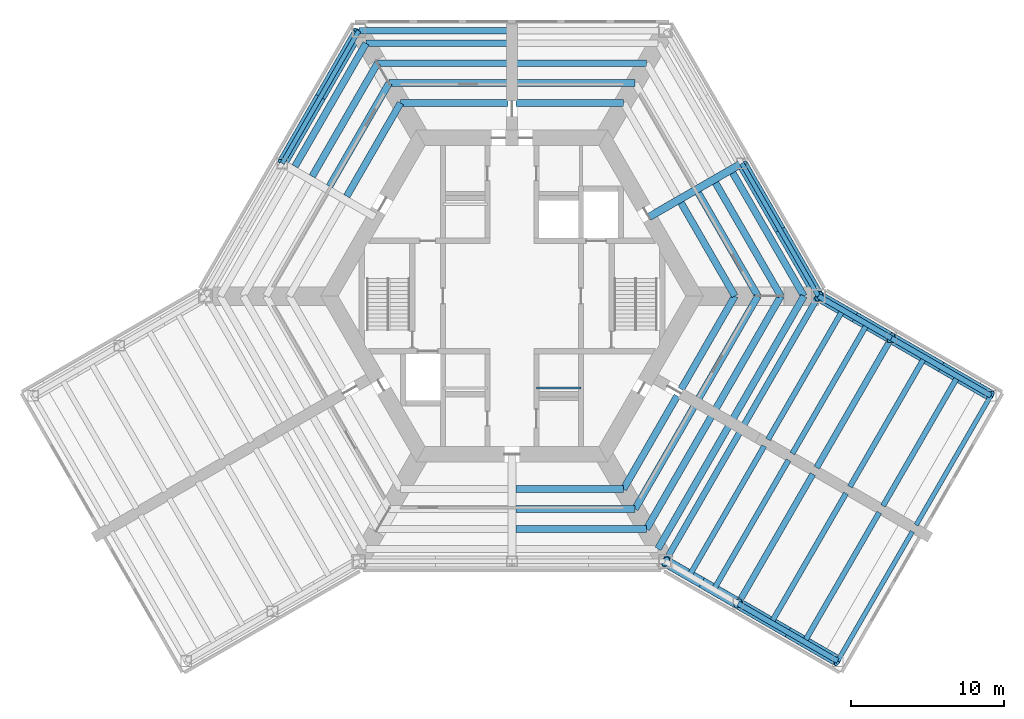
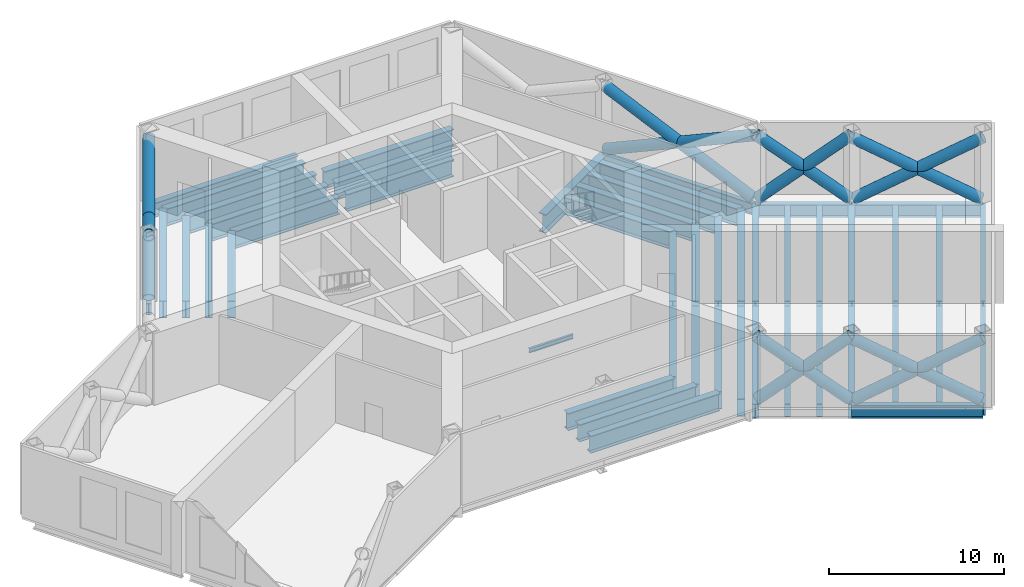
# One storey, part 2 of 8: 48 beams, 12 members.
"""IFC4 building model written with IfcOpenShell, lengths in metres."""

from ifc_helpers import new_model, si_unit, direction, frame, origin, origin_2d, place, context, subcontext, project, spatial, hollow_circle, i_section, extrude, material, material_profile, profile_set, type_object, element, save


model = new_model("IFC4")

# Units and contexts
model_context = context("Model", 3, precision=1e-05, world=origin(), true_north=direction((0.0, 1.0)))
body_context = subcontext(model_context, "Body", "Model", "MODEL_VIEW")
ifc_project = project(units=[si_unit("LENGTHUNIT", "METRE"), si_unit("AREAUNIT", "SQUARE_METRE"), si_unit("VOLUMEUNIT", "CUBIC_METRE"), si_unit("PLANEANGLEUNIT", "RADIAN"), si_unit("MASSUNIT", "GRAM", prefix="KILO")], contexts=[model_context])

# Site, building, storey
site_placement = place(None, origin())
site = spatial("IfcSite", under=ifc_project, at=site_placement, CompositionType="ELEMENT")
building_placement = place(site_placement, origin())
building = spatial("IfcBuilding", under=site, at=building_placement, Name="Kasaneha Research Tower", CompositionType="ELEMENT")
storey_placement = place(building_placement, frame((0.0, 0.0, 203.300048828125)))
storey = spatial("IfcBuildingStorey", under=building, at=storey_placement, Name="L51", CompositionType="ELEMENT", Elevation=203.300048828125)

# Beams
ifc_material_1 = material(Name="Steel SN490B", Category="steel")
ifc_material_profile_1 = material_profile(ifc_material_1, i_section(OverallWidth=0.449951171875, OverallDepth=1.199951171875, WebThickness=0.02197265625, FlangeThickness=0.0400390625, at=origin_2d()), Name="BH-1200x450x22x40")
ifc_profile_set_1 = profile_set([ifc_material_profile_1], Name="Steel SN490B")
beam_type_1 = type_object("IfcBeamType", Name="B1-5 secondary beam BH-1200x450x22x40", PredefinedType="JOIST", material=ifc_profile_set_1)
beam_1_placement = place(storey_placement, frame((14.54931640625, 0.0, -0.85009765625), z_axis=(-0.500015274395, 0.866016584929, 0.0), x_axis=(-0.866016584929, -0.500015274395, 0.0)))
element("IfcBeam", 1, at=beam_1_placement, inside=storey, type_object=beam_type_1, Name="Secondary beam RS030L1 L51", PredefinedType="JOIST", context=body_context, shape_type="SweptSolid", body=[
    extrude(i_section(OverallWidth=0.449951171875, OverallDepth=1.199951171875, WebThickness=0.02197265625, FlangeThickness=0.0400390625, at=origin_2d()), origin(), (0.0, 0.0, 1.0), 7.024658203125),
])
beam_2_placement = place(storey_placement, frame((16.05029296875, 0.0, -0.85009765625), z_axis=(-0.499992453835, 0.866029760521, 0.0), x_axis=(-0.866029760521, -0.499992453835, 0.0)))
element("IfcBeam", 2, at=beam_2_placement, inside=storey, type_object=beam_type_1, Name="Secondary beam RS030L2 L51", PredefinedType="JOIST", context=body_context, shape_type="SweptSolid", body=[
    extrude(i_section(OverallWidth=0.449951171875, OverallDepth=1.199951171875, WebThickness=0.02197265625, FlangeThickness=0.0400390625, at=origin_2d()), origin(), (0.0, 0.0, 1.0), 7.77490234375),
])
beam_3_placement = place(storey_placement, frame((17.551513671875, 0.0, -0.85009765625), z_axis=(-0.500004205306, 0.866022975836, 0.0), x_axis=(-0.866022975836, -0.500004205306, 0.0)))
element("IfcBeam", 3, at=beam_3_placement, inside=storey, type_object=beam_type_1, Name="Secondary beam RS030L3 L51", PredefinedType="JOIST", context=body_context, shape_type="SweptSolid", body=[
    extrude(i_section(OverallWidth=0.449951171875, OverallDepth=1.199951171875, WebThickness=0.02197265625, FlangeThickness=0.0400390625, at=origin_2d()), origin(), (0.0, 0.0, 1.0), 8.52587890625),
])
beam_4_placement = place(storey_placement, frame((19.052490234375, 0.0, -0.85009765625), z_axis=(-0.500005712346, 0.866022105735, 0.0), x_axis=(-0.866022105735, -0.500005712346, 0.0)))
element("IfcBeam", 4, at=beam_4_placement, inside=storey, type_object=beam_type_1, Name="Secondary beam RS030L4 L51", PredefinedType="JOIST", context=body_context, shape_type="SweptSolid", body=[
    extrude(i_section(OverallWidth=0.449951171875, OverallDepth=1.199951171875, WebThickness=0.02197265625, FlangeThickness=0.0400390625, at=origin_2d()), origin(), (0.0, 0.0, 1.0), 9.2763671875),
])
beam_5_placement = place(storey_placement, frame((7.274658203125, 12.60009765625, -0.85009765625), z_axis=(-1.0, 0.0, 0.0), x_axis=(0.0, -1.0, 0.0)))
element("IfcBeam", 5, at=beam_5_placement, inside=storey, type_object=beam_type_1, Name="Secondary beam RS090L1 L51", PredefinedType="JOIST", context=body_context, shape_type="SweptSolid", body=[
    extrude(i_section(OverallWidth=0.449951171875, OverallDepth=1.199951171875, WebThickness=0.02197265625, FlangeThickness=0.0400390625, at=origin_2d()), origin(), (0.0, 0.0, 1.0), 7.024658203125),
])
beam_6_placement = place(storey_placement, frame((8.025146484375, 13.89990234375, -0.85009765625), z_axis=(-1.0, 0.0, 0.0), x_axis=(0.0, -1.0, 0.0)))
element("IfcBeam", 6, at=beam_6_placement, inside=storey, type_object=beam_type_1, Name="Secondary beam RS090L2 L51", PredefinedType="JOIST", context=body_context, shape_type="SweptSolid", body=[
    extrude(i_section(OverallWidth=0.449951171875, OverallDepth=1.199951171875, WebThickness=0.02197265625, FlangeThickness=0.0400390625, at=origin_2d()), origin(), (0.0, 0.0, 1.0), 7.775146484375),
])
beam_7_placement = place(storey_placement, frame((8.775634765625, 15.199951171875, -0.85009765625), z_axis=(-1.0, 0.0, 0.0), x_axis=(0.0, -1.0, 0.0)))
element("IfcBeam", 7, at=beam_7_placement, inside=storey, type_object=beam_type_1, Name="Secondary beam RS090L3 L51", PredefinedType="JOIST", context=body_context, shape_type="SweptSolid", body=[
    extrude(i_section(OverallWidth=0.449951171875, OverallDepth=1.199951171875, WebThickness=0.02197265625, FlangeThickness=0.0400390625, at=origin_2d()), origin(), (0.0, 0.0, 1.0), 8.525634765625),
])
beam_8_placement = place(storey_placement, frame((-7.274658203125, 12.60009765625, -0.85009765625), z_axis=(1.0, 0.0, 0.0), x_axis=(0.0, 1.0, 0.0)))
element("IfcBeam", 8, at=beam_8_placement, inside=storey, type_object=beam_type_1, Name="Secondary beam RS090R1 L51", PredefinedType="JOIST", context=body_context, shape_type="SweptSolid", body=[
    extrude(i_section(OverallWidth=0.449951171875, OverallDepth=1.199951171875, WebThickness=0.02197265625, FlangeThickness=0.0400390625, at=origin_2d()), origin(), (0.0, 0.0, 1.0), 7.024658203125),
])
beam_9_placement = place(storey_placement, frame((-8.025146484375, 13.89990234375, -0.85009765625), z_axis=(1.0, 0.0, 0.0), x_axis=(0.0, 1.0, 0.0)))
element("IfcBeam", 9, at=beam_9_placement, inside=storey, type_object=beam_type_1, Name="Secondary beam RS090R2 L51", PredefinedType="JOIST", context=body_context, shape_type="SweptSolid", body=[
    extrude(i_section(OverallWidth=0.449951171875, OverallDepth=1.199951171875, WebThickness=0.02197265625, FlangeThickness=0.0400390625, at=origin_2d()), origin(), (0.0, 0.0, 1.0), 7.775146484375),
])
beam_10_placement = place(storey_placement, frame((-8.775634765625, 15.199951171875, -0.85009765625), z_axis=(1.0, 0.0, 0.0), x_axis=(0.0, 1.0, 0.0)))
element("IfcBeam", 10, at=beam_10_placement, inside=storey, type_object=beam_type_1, Name="Secondary beam RS090R3 L51", PredefinedType="JOIST", context=body_context, shape_type="SweptSolid", body=[
    extrude(i_section(OverallWidth=0.449951171875, OverallDepth=1.199951171875, WebThickness=0.02197265625, FlangeThickness=0.0400390625, at=origin_2d()), origin(), (0.0, 0.0, 1.0), 8.525634765625),
])
beam_11_placement = place(storey_placement, frame((-9.5263671875, 16.5, -0.85009765625), z_axis=(1.0, 0.0, 0.0), x_axis=(0.0, 1.0, 0.0)))
element("IfcBeam", 11, at=beam_11_placement, inside=storey, type_object=beam_type_1, Name="Secondary beam RS090R4 L51", PredefinedType="JOIST", context=body_context, shape_type="SweptSolid", body=[
    extrude(i_section(OverallWidth=0.449951171875, OverallDepth=1.199951171875, WebThickness=0.02197265625, FlangeThickness=0.0400390625, at=origin_2d()), origin(), (0.0, 0.0, 1.0), 9.2763671875),
])
beam_12_placement = place(storey_placement, frame((-7.274658203125, 12.60009765625, -0.85009765625), z_axis=(-0.499989208252, -0.866031634313, 0.0), x_axis=(0.866031634313, -0.499989208252, 0.0)))
element("IfcBeam", 12, at=beam_12_placement, inside=storey, type_object=beam_type_1, Name="Secondary beam RS150L1 L51", PredefinedType="JOIST", context=body_context, shape_type="SweptSolid", body=[
    extrude(i_section(OverallWidth=0.449951171875, OverallDepth=1.199951171875, WebThickness=0.02197265625, FlangeThickness=0.0400390625, at=origin_2d()), origin(), (0.0, 0.0, 1.0), 7.024658203125),
])
beam_13_placement = place(storey_placement, frame((-8.025146484375, 13.89990234375, -0.85009765625), z_axis=(-0.500016004, -0.866016163673, 0.0), x_axis=(0.866016163673, -0.500016004, 0.0)))
element("IfcBeam", 13, at=beam_13_placement, inside=storey, type_object=beam_type_1, Name="Secondary beam RS150L2 L51", PredefinedType="JOIST", context=body_context, shape_type="SweptSolid", body=[
    extrude(i_section(OverallWidth=0.449951171875, OverallDepth=1.199951171875, WebThickness=0.02197265625, FlangeThickness=0.0400390625, at=origin_2d()), origin(), (0.0, 0.0, 1.0), 7.775146484375),
])
beam_14_placement = place(storey_placement, frame((-8.775634765625, 15.199951171875, -0.85009765625), z_axis=(-0.500004205306, -0.866022975836, 0.0), x_axis=(0.866022975836, -0.500004205306, 0.0)))
element("IfcBeam", 14, at=beam_14_placement, inside=storey, type_object=beam_type_1, Name="Secondary beam RS150L3 L51", PredefinedType="JOIST", context=body_context, shape_type="SweptSolid", body=[
    extrude(i_section(OverallWidth=0.449951171875, OverallDepth=1.199951171875, WebThickness=0.02197265625, FlangeThickness=0.0400390625, at=origin_2d()), origin(), (0.0, 0.0, 1.0), 8.52587890625),
])
beam_15_placement = place(storey_placement, frame((-9.5263671875, 16.5, -0.85009765625), z_axis=(-0.499985972961, -0.866033502147, 0.0), x_axis=(0.866033502147, -0.499985972961, 0.0)))
element("IfcBeam", 15, at=beam_15_placement, inside=storey, type_object=beam_type_1, Name="Secondary beam RS150L4 L51", PredefinedType="JOIST", context=body_context, shape_type="SweptSolid", body=[
    extrude(i_section(OverallWidth=0.449951171875, OverallDepth=1.199951171875, WebThickness=0.02197265625, FlangeThickness=0.0400390625, at=origin_2d()), origin(), (0.0, 0.0, 1.0), 9.276123046875),
])
beam_16_placement = place(storey_placement, frame((7.274658203125, -12.60009765625, -0.85009765625), z_axis=(-1.0, 0.0, 0.0), x_axis=(0.0, -1.0, 0.0)))
element("IfcBeam", 16, at=beam_16_placement, inside=storey, type_object=beam_type_1, Name="Secondary beam RS270R1 L51", PredefinedType="JOIST", context=body_context, shape_type="SweptSolid", body=[
    extrude(i_section(OverallWidth=0.449951171875, OverallDepth=1.199951171875, WebThickness=0.02197265625, FlangeThickness=0.0400390625, at=origin_2d()), origin(), (0.0, 0.0, 1.0), 7.024658203125),
])
beam_17_placement = place(storey_placement, frame((8.025146484375, -13.89990234375, -0.85009765625), z_axis=(-1.0, 0.0, 0.0), x_axis=(0.0, -1.0, 0.0)))
element("IfcBeam", 17, at=beam_17_placement, inside=storey, type_object=beam_type_1, Name="Secondary beam RS270R2 L51", PredefinedType="JOIST", context=body_context, shape_type="SweptSolid", body=[
    extrude(i_section(OverallWidth=0.449951171875, OverallDepth=1.199951171875, WebThickness=0.02197265625, FlangeThickness=0.0400390625, at=origin_2d()), origin(), (0.0, 0.0, 1.0), 7.775146484375),
])
beam_18_placement = place(storey_placement, frame((8.775634765625, -15.199951171875, -0.85009765625), z_axis=(-1.0, 0.0, 0.0), x_axis=(0.0, -1.0, 0.0)))
element("IfcBeam", 18, at=beam_18_placement, inside=storey, type_object=beam_type_1, Name="Secondary beam RS270R3 L51", PredefinedType="JOIST", context=body_context, shape_type="SweptSolid", body=[
    extrude(i_section(OverallWidth=0.449951171875, OverallDepth=1.199951171875, WebThickness=0.02197265625, FlangeThickness=0.0400390625, at=origin_2d()), origin(), (0.0, 0.0, 1.0), 8.525634765625),
])
beam_19_placement = place(storey_placement, frame((7.274658203125, -12.60009765625, -0.85009765625), z_axis=(0.499989208252, 0.866031634313, 0.0), x_axis=(-0.866031634313, 0.499989208252, 0.0)))
element("IfcBeam", 19, at=beam_19_placement, inside=storey, type_object=beam_type_1, Name="Secondary beam RS330L1 L51", PredefinedType="JOIST", context=body_context, shape_type="SweptSolid", body=[
    extrude(i_section(OverallWidth=0.449951171875, OverallDepth=1.199951171875, WebThickness=0.02197265625, FlangeThickness=0.0400390625, at=origin_2d()), origin(), (0.0, 0.0, 1.0), 7.024658203125),
])
beam_20_placement = place(storey_placement, frame((8.025146484375, -13.89990234375, -0.85009765625), z_axis=(0.500016004, 0.866016163673, 0.0), x_axis=(-0.866016163673, 0.500016004, 0.0)))
element("IfcBeam", 20, at=beam_20_placement, inside=storey, type_object=beam_type_1, Name="Secondary beam RS330L2 L51", PredefinedType="JOIST", context=body_context, shape_type="SweptSolid", body=[
    extrude(i_section(OverallWidth=0.449951171875, OverallDepth=1.199951171875, WebThickness=0.02197265625, FlangeThickness=0.0400390625, at=origin_2d()), origin(), (0.0, 0.0, 1.0), 7.775146484375),
])
beam_21_placement = place(storey_placement, frame((8.775634765625, -15.199951171875, -0.85009765625), z_axis=(0.500004205306, 0.866022975836, 0.0), x_axis=(-0.866022975836, 0.500004205306, 0.0)))
element("IfcBeam", 21, at=beam_21_placement, inside=storey, type_object=beam_type_1, Name="Secondary beam RS330L3 L51", PredefinedType="JOIST", context=body_context, shape_type="SweptSolid", body=[
    extrude(i_section(OverallWidth=0.449951171875, OverallDepth=1.199951171875, WebThickness=0.02197265625, FlangeThickness=0.0400390625, at=origin_2d()), origin(), (0.0, 0.0, 1.0), 8.52587890625),
])
beam_22_placement = place(storey_placement, frame((9.5263671875, -16.5, -0.85009765625), z_axis=(0.499985972961, 0.866033502147, 0.0), x_axis=(-0.866033502147, 0.499985972961, 0.0)))
element("IfcBeam", 22, at=beam_22_placement, inside=storey, type_object=beam_type_1, Name="Secondary beam RS330L4 L51", PredefinedType="JOIST", context=body_context, shape_type="SweptSolid", body=[
    extrude(i_section(OverallWidth=0.449951171875, OverallDepth=1.199951171875, WebThickness=0.02197265625, FlangeThickness=0.0400390625, at=origin_2d()), origin(), (0.0, 0.0, 1.0), 9.276123046875),
])
beam_23_placement = place(storey_placement, frame((14.54931640625, 0.0, -0.85009765625), z_axis=(-0.500015274395, -0.866016584929, 0.0), x_axis=(0.866016584929, -0.500015274395, 0.0)))
element("IfcBeam", 23, at=beam_23_placement, inside=storey, type_object=beam_type_1, Name="Secondary beam RS330R1 L51", PredefinedType="JOIST", context=body_context, shape_type="SweptSolid", body=[
    extrude(i_section(OverallWidth=0.449951171875, OverallDepth=1.199951171875, WebThickness=0.02197265625, FlangeThickness=0.0400390625, at=origin_2d()), origin(), (0.0, 0.0, 1.0), 7.024658203125),
])
beam_24_placement = place(storey_placement, frame((16.05029296875, 0.0, -0.85009765625), z_axis=(-0.499992453835, -0.866029760521, 0.0), x_axis=(0.866029760521, -0.499992453835, 0.0)))
element("IfcBeam", 24, at=beam_24_placement, inside=storey, type_object=beam_type_1, Name="Secondary beam RS330R2 L51", PredefinedType="JOIST", context=body_context, shape_type="SweptSolid", body=[
    extrude(i_section(OverallWidth=0.449951171875, OverallDepth=1.199951171875, WebThickness=0.02197265625, FlangeThickness=0.0400390625, at=origin_2d()), origin(), (0.0, 0.0, 1.0), 7.77490234375),
])
beam_25_placement = place(storey_placement, frame((17.551513671875, 0.0, -0.85009765625), z_axis=(-0.500004205306, -0.866022975836, 0.0), x_axis=(0.866022975836, -0.500004205306, 0.0)))
element("IfcBeam", 25, at=beam_25_placement, inside=storey, type_object=beam_type_1, Name="Secondary beam RS330R3 L51", PredefinedType="JOIST", context=body_context, shape_type="SweptSolid", body=[
    extrude(i_section(OverallWidth=0.449951171875, OverallDepth=1.199951171875, WebThickness=0.02197265625, FlangeThickness=0.0400390625, at=origin_2d()), origin(), (0.0, 0.0, 1.0), 8.52587890625),
])
beam_26_placement = place(storey_placement, frame((19.052490234375, 0.0, -0.85009765625), z_axis=(-0.500005712346, -0.866022105735, 0.0), x_axis=(0.866022105735, -0.500005712346, 0.0)))
element("IfcBeam", 26, at=beam_26_placement, inside=storey, type_object=beam_type_1, Name="Secondary beam RS330R4 L51", PredefinedType="JOIST", context=body_context, shape_type="SweptSolid", body=[
    extrude(i_section(OverallWidth=0.449951171875, OverallDepth=1.199951171875, WebThickness=0.02197265625, FlangeThickness=0.0400390625, at=origin_2d()), origin(), (0.0, 0.0, 1.0), 9.2763671875),
])
ifc_material_2 = material(Name="Steel SN490B", Category="steel")
ifc_material_profile_2 = material_profile(ifc_material_2, i_section(OverallWidth=0.35009765625, OverallDepth=0.89990234375, WebThickness=0.01611328125, FlangeThickness=0.031982421875, at=origin_2d()), Name="BH-900x350x16x32")
ifc_profile_set_2 = profile_set([ifc_material_profile_2], Name="Steel SN490B")
beam_type_2 = type_object("IfcBeamType", Name="B2-5 secondary beam BH-900x350x16x32", PredefinedType="JOIST", material=ifc_profile_set_2)
for number, where, z_axis, x_axis, name in (
    (27, (11.587646484375, -18.237060546875, -0.699951171875), (0.500006402939, 0.866021707014, 0.0), (-0.866021707014, 0.500006402939, 0.0), "Secondary beam WBCP1 L51"),
    (28, (13.175537109375, -19.15380859375, -0.699951171875), (0.500006402939, 0.866021707014, 0.0), (-0.866021707014, 0.500006402939, 0.0), "Secondary beam WBCP2 L51"),
):
    element("IfcBeam", number, at=place(storey_placement, frame(where, z_axis=z_axis, x_axis=x_axis)), inside=storey, type_object=beam_type_2, Name=name, PredefinedType="JOIST", context=body_context, shape_type="SweptSolid", body=[
        extrude(i_section(OverallWidth=0.35009765625, OverallDepth=0.89990234375, WebThickness=0.01611328125, FlangeThickness=0.031982421875, at=origin_2d()), origin(), (0.0, 0.0, 1.0), 9.749755859375),
    ])
for number, where, z_axis, x_axis, name in (
    (29, (16.92822265625, -21.320556640625, -0.699951171875), (0.499995560238, 0.866027967067, 0.0), (-0.866027967067, 0.499995560238, 0.0), "Secondary beam WBCP3 L51"),
    (30, (19.09326171875, -22.570556640625, -0.699951171875), (0.499995560238, 0.866027967067, 0.0), (-0.866027967067, 0.499995560238, 0.0), "Secondary beam WBCP4 L51"),
):
    element("IfcBeam", number, at=place(storey_placement, frame(where, z_axis=z_axis, x_axis=x_axis)), inside=storey, type_object=beam_type_2, Name=name, PredefinedType="JOIST", context=body_context, shape_type="SweptSolid", body=[
        extrude(i_section(OverallWidth=0.35009765625, OverallDepth=0.89990234375, WebThickness=0.01611328125, FlangeThickness=0.031982421875, at=origin_2d()), origin(), (0.0, 0.0, 1.0), 9.75),
    ])
beam_27_placement = place(storey_placement, frame((21.587646484375, -0.916748046875, -0.699951171875), z_axis=(-0.500006402939, -0.866021707014, 0.0), x_axis=(0.866021707014, -0.500006402939, 0.0)))
element("IfcBeam", 31, at=beam_27_placement, inside=storey, type_object=beam_type_2, Name="Secondary beam WBCN1 L51", PredefinedType="JOIST", context=body_context, shape_type="SweptSolid", body=[
    extrude(i_section(OverallWidth=0.35009765625, OverallDepth=0.89990234375, WebThickness=0.01611328125, FlangeThickness=0.031982421875, at=origin_2d()), origin(), (0.0, 0.0, 1.0), 9.749755859375),
])
for number, where, z_axis, x_axis, name in (
    (32, (23.175537109375, -1.833251953125, -0.699951171875), (-0.499995560238, -0.866027967067, 0.0), (0.866027967067, -0.499995560238, 0.0), "Secondary beam WBCN2 L51"),
    (33, (26.92822265625, -4.0, -0.699951171875), (-0.499995560238, -0.866027967067, 0.0), (0.866027967067, -0.499995560238, 0.0), "Secondary beam WBCN3 L51"),
    (34, (29.09326171875, -5.25, -0.699951171875), (-0.499995560238, -0.866027967067, 0.0), (0.866027967067, -0.499995560238, 0.0), "Secondary beam WBCN4 L51"),
):
    element("IfcBeam", number, at=place(storey_placement, frame(where, z_axis=z_axis, x_axis=x_axis)), inside=storey, type_object=beam_type_2, Name=name, PredefinedType="JOIST", context=body_context, shape_type="SweptSolid", body=[
        extrude(i_section(OverallWidth=0.35009765625, OverallDepth=0.89990234375, WebThickness=0.01611328125, FlangeThickness=0.031982421875, at=origin_2d()), origin(), (0.0, 0.0, 1.0), 9.75),
    ])
ifc_material_3 = material(Name="Steel SN490B", Category="steel")
ifc_material_profile_3 = material_profile(ifc_material_3, i_section(OverallWidth=0.35009765625, OverallDepth=0.89990234375, WebThickness=0.01611328125, FlangeThickness=0.031982421875, at=origin_2d()), Name="BH-900x350x16x32")
ifc_profile_set_3 = profile_set([ifc_material_profile_3], Name="Steel SN490B")
beam_type_3 = type_object("IfcBeamType", Name="BC1-5 belt chord BH-900x350x16x32", PredefinedType="BEAM", material=ifc_profile_set_3)
beam_28_placement = place(storey_placement, frame((20.0, 0.0, -0.699951171875), z_axis=(0.866027397988, -0.499996545922, 0.0), x_axis=(0.499996545922, 0.866027397988, 0.0)))
element("IfcBeam", 35, at=beam_28_placement, inside=storey, type_object=beam_type_3, Name="Belt chord WSCN1 L51", PredefinedType="BEAM", context=body_context, shape_type="SweptSolid", body=[
    extrude(i_section(OverallWidth=0.35009765625, OverallDepth=0.89990234375, WebThickness=0.01611328125, FlangeThickness=0.031982421875, at=origin_2d()), origin(), (0.0, 0.0, 1.0), 5.5),
])

# Members
ifc_material_4 = material(Name="Steel STKN490B", Category="steel")
ifc_material_profile_4 = material_profile(ifc_material_4, hollow_circle(Radius=0.355712890625, WallThickness=0.031982421875, at=origin_2d()), Name="CHS-711.2x32.0")
ifc_profile_set_4 = profile_set([ifc_material_profile_4], Name="Steel STKN490B")
member_type = type_object("IfcMemberType", Name="BT3 belt truss diagonal CHS-711.2x32.0", PredefinedType="BRACE", material=ifc_profile_set_4)
for number, where, z_axis, x_axis, name in (
    (36, (-14.932861328125, 8.7763671875, 0.067138671875), (0.456047152237, 0.789897462228, 0.409979260576), (-0.866025574794, 0.499999703803, 0.0), "Belt truss diagonal 4a L51"),
    (37, (-10.067138671875, 17.204345703125, 0.067138671875), (-0.456047152237, -0.789897462228, 0.409979260576), (0.866025574794, -0.499999703803, 0.0), "Belt truss diagonal 4b L51"),
):
    element("IfcMember", number, at=place(storey_placement, frame(where, z_axis=z_axis, x_axis=x_axis)), inside=storey, type_object=member_type, Name=name, PredefinedType="BRACE", context=body_context, shape_type="SweptSolid", body=[
        extrude(hollow_circle(Radius=0.355712890625, WallThickness=0.031982421875, at=origin_2d()), origin(), (0.0, 0.0, 1.0), 10.7529296875),
    ])
member_1_placement = place(storey_placement, frame((15.067138671875, 8.5439453125, 0.067138671875), z_axis=(0.456055331274, -0.789888923613, 0.409986613403), x_axis=(0.866019351364, 0.500010482954, 0.0)))
element("IfcMember", 38, at=member_1_placement, inside=storey, type_object=member_type, Name="Belt truss diagonal 6a L51", PredefinedType="BRACE", context=body_context, shape_type="SweptSolid", body=[
    extrude(hollow_circle(Radius=0.355712890625, WallThickness=0.031982421875, at=origin_2d()), origin(), (0.0, 0.0, 1.0), 10.752685546875),
])
member_2_placement = place(storey_placement, frame((19.932861328125, 0.1162109375, 0.067138671875), z_axis=(-0.456047152237, 0.789897462228, 0.409979260576), x_axis=(-0.866025574794, -0.499999703803, 0.0)))
element("IfcMember", 39, at=member_2_placement, inside=storey, type_object=member_type, Name="Belt truss diagonal 6b L51", PredefinedType="BRACE", context=body_context, shape_type="SweptSolid", body=[
    extrude(hollow_circle(Radius=0.355712890625, WallThickness=0.031982421875, at=origin_2d()), origin(), (0.0, 0.0, 1.0), 10.7529296875),
])
for number, where, z_axis, x_axis, name in (
    (40, (20.09619140625, -0.055419921875, 0.100830078125), (0.667831805329, -0.385602354121, 0.636640796907), (0.500028672299, 0.866008849192, 0.0), "Belt truss diagonal 7a L51"),
    (41, (24.6669921875, -2.694580078125, 0.100830078125), (-0.667831805329, 0.385602354121, 0.636640796907), (-0.500028672299, -0.866008849192, 0.0), "Belt truss diagonal 7b L51"),
):
    element("IfcMember", number, at=place(storey_placement, frame(where, z_axis=z_axis, x_axis=x_axis)), inside=storey, type_object=member_type, Name=name, PredefinedType="BRACE", context=body_context, shape_type="SweptSolid", body=[
        extrude(hollow_circle(Radius=0.355712890625, WallThickness=0.031982421875, at=origin_2d()), origin(), (0.0, 0.0, 1.0), 6.95068359375),
    ])
for number, where, z_axis, x_axis, name in (
    (42, (24.871337890625, -2.8125, 0.083251953125), (0.749620606235, -0.432791928312, 0.50075951663), (0.499998500593, 0.866026269466, 0.0), "Belt truss diagonal 8a L51"),
    (43, (31.150146484375, -6.4375, 0.083251953125), (-0.749620606235, 0.432791928312, 0.50075951663), (-0.499998500593, -0.866026269466, 0.0), "Belt truss diagonal 8b L51"),
    (44, (21.150146484375, -23.758056640625, 0.083251953125), (-0.749620606235, 0.432791928312, 0.50075951663), (-0.499998500593, -0.866026269466, 0.0), "Belt truss diagonal 9a L51"),
    (45, (14.871337890625, -20.1328125, 0.083251953125), (0.749611309849, -0.432815214834, 0.500753306484), (0.500023327812, 0.866011935047, 0.0), "Belt truss diagonal 9b L51"),
):
    element("IfcMember", number, at=place(storey_placement, frame(where, z_axis=z_axis, x_axis=x_axis)), inside=storey, type_object=member_type, Name=name, PredefinedType="BRACE", context=body_context, shape_type="SweptSolid", body=[
        extrude(hollow_circle(Radius=0.355712890625, WallThickness=0.031982421875, at=origin_2d()), origin(), (0.0, 0.0, 1.0), 8.520263671875),
    ])
for number, where, z_axis, x_axis, name in (
    (46, (14.6669921875, -20.014892578125, 0.100830078125), (-0.667840850406, 0.385572451213, 0.636649419535), (-0.499994511252, -0.866028572691, 0.0), "Belt truss diagonal 10a L51"),
    (47, (10.09619140625, -17.3759765625, 0.100830078125), (0.667840850406, -0.385572451213, 0.636649419535), (0.499994511252, 0.866028572691, 0.0), "Belt truss diagonal 10b L51"),
):
    element("IfcMember", number, at=place(storey_placement, frame(where, z_axis=z_axis, x_axis=x_axis)), inside=storey, type_object=member_type, Name=name, PredefinedType="BRACE", context=body_context, shape_type="SweptSolid", body=[
        extrude(hollow_circle(Radius=0.355712890625, WallThickness=0.031982421875, at=origin_2d()), origin(), (0.0, 0.0, 1.0), 6.950439453125),
    ])

# Beams
ifc_material_5 = material(Name="Steel SN490B", Category="steel")
ifc_material_profile_5 = material_profile(ifc_material_5, i_section(OverallWidth=0.5, OverallDepth=1.300048828125, WebThickness=0.02197265625, FlangeThickness=0.044921875, at=origin_2d()), Name="BH-1300x500x22x45")
ifc_profile_set_5 = profile_set([ifc_material_profile_5], Name="Steel SN490B")
beam_type_4 = type_object("IfcBeamType", Name="G2-5 radial girder BH-1300x500x22x45", PredefinedType="BEAM", material=ifc_profile_set_5)
beam_29_placement = place(storey_placement, frame((8.941650390625, 5.16259765625, -0.900146484375), z_axis=(0.866039713508, 0.499975214012, 0.0), x_axis=(-0.499975214012, 0.866039713508, 0.0)))
element("IfcBeam", 48, at=beam_29_placement, inside=storey, type_object=beam_type_4, Name="Radial girder RM030 L51", PredefinedType="BEAM", context=body_context, shape_type="SweptSolid", body=[
    extrude(i_section(OverallWidth=0.5, OverallDepth=1.300048828125, WebThickness=0.02197265625, FlangeThickness=0.044921875, at=origin_2d()), origin(), (0.0, 0.0, 1.0), 6.995361328125),
])
ifc_material_6 = material(Name="Steel SN490B", Category="steel")
ifc_material_profile_6 = material_profile(ifc_material_6, i_section(OverallWidth=0.39990234375, OverallDepth=1.0, WebThickness=0.01904296875, FlangeThickness=0.035888671875, at=origin_2d()), Name="BH-1000x400x19x36")
ifc_profile_set_6 = profile_set([ifc_material_profile_6], Name="Steel SN490B")
beam_type_5 = type_object("IfcBeamType", Name="G3-5 plate edge girder BH-1000x400x19x36", PredefinedType="BEAM", material=ifc_profile_set_6)
for number, where, z_axis, x_axis, name in (
    (49, (-10.0, 17.320556640625, -0.75), (1.0, 0.0, 0.0), (0.0, 1.0, 0.0), "Plate edge girder PEAN L51"),
    (50, (10.0, -17.320556640625, -0.75), (0.499995560238, 0.866027967067, 0.0), (-0.866027967067, 0.499995560238, 0.0), "Plate edge girder PECP L51"),
    (51, (20.0, 0.0, -0.75), (-0.499995560238, -0.866027967067, 0.0), (0.866027967067, -0.499995560238, 0.0), "Plate edge girder PECN L51"),
):
    element("IfcBeam", number, at=place(storey_placement, frame(where, z_axis=z_axis, x_axis=x_axis)), inside=storey, type_object=beam_type_5, Name=name, PredefinedType="BEAM", context=body_context, shape_type="SweptSolid", body=[
        extrude(i_section(OverallWidth=0.39990234375, OverallDepth=1.0, WebThickness=0.01904296875, FlangeThickness=0.035888671875, at=origin_2d()), origin(), (0.0, 0.0, 1.0), 9.75),
    ])
ifc_material_7 = material(Name="Steel SN490B", Category="steel")
ifc_material_profile_7 = material_profile(ifc_material_7, i_section(OverallWidth=0.39990234375, OverallDepth=1.0, WebThickness=0.01904296875, FlangeThickness=0.035888671875, at=origin_2d()), Name="BH-1000x400x19x36")
ifc_profile_set_7 = profile_set([ifc_material_profile_7], Name="Steel SN490B")
beam_type_6 = type_object("IfcBeamType", Name="G4-5 wing girder BH-1000x400x19x36", PredefinedType="BEAM", material=ifc_profile_set_7)
for number, where, z_axis, x_axis, name in (
    (52, (14.76318359375, -20.070556640625, -0.75), (0.499995560238, 0.866027967067, 0.0), (-0.866027967067, 0.499995560238, 0.0), "Wing girder WGCP L51"),
    (53, (24.76318359375, -2.75, -0.75), (-0.499995560238, -0.866027967067, 0.0), (0.866027967067, -0.499995560238, 0.0), "Wing girder WGCN L51"),
):
    element("IfcBeam", number, at=place(storey_placement, frame(where, z_axis=z_axis, x_axis=x_axis)), inside=storey, type_object=beam_type_6, Name=name, PredefinedType="BEAM", context=body_context, shape_type="SweptSolid", body=[
        extrude(i_section(OverallWidth=0.39990234375, OverallDepth=1.0, WebThickness=0.01904296875, FlangeThickness=0.035888671875, at=origin_2d()), origin(), (0.0, 0.0, 1.0), 9.75),
    ])
ifc_material_8 = material(Name="Steel SN490B", Category="steel")
ifc_material_profile_8 = material_profile(ifc_material_8, i_section(OverallWidth=0.14990234375, OverallDepth=0.300048828125, WebThickness=0.006591796875, FlangeThickness=0.009033203125, FilletRadius=0.012939453125, at=origin_2d()), Name="H-300x150x6.5x9")
ifc_profile_set_8 = profile_set([ifc_material_profile_8], Name="Steel SN490B")
beam_type_7 = type_object("IfcBeamType", Name="HB1 lift hoist beam H-300x150x6.5x9", PredefinedType="BEAM", material=ifc_profile_set_8)
beam_30_placement = place(storey_placement, frame((1.60009765625, -6.0, -0.449951171875), z_axis=(1.0, 0.0, 0.0), x_axis=(0.0, 1.0, 0.0)))
element("IfcBeam", 54, at=beam_30_placement, inside=storey, type_object=beam_type_7, Name="Lift hoist beam LM2", PredefinedType="BEAM", context=body_context, shape_type="SweptSolid", body=[
    extrude(i_section(OverallWidth=0.14990234375, OverallDepth=0.300048828125, WebThickness=0.006591796875, FlangeThickness=0.009033203125, FilletRadius=0.012939453125, at=origin_2d()), origin(), (0.0, 0.0, 1.0), 2.89990234375),
])
ifc_material_9 = material(Name="Steel SN490B", Category="steel")
ifc_material_profile_9 = material_profile(ifc_material_9, i_section(OverallWidth=0.300048828125, OverallDepth=0.800048828125, WebThickness=0.013916015625, FlangeThickness=0.02587890625, FilletRadius=0.01806640625, at=origin_2d()), Name="H-800x300x14x26")
ifc_profile_set_9 = profile_set([ifc_material_profile_9], Name="Steel SN490B")
beam_type_8 = type_object("IfcBeamType", Name="SB1-5 spandrel beam H-800x300x14x26", PredefinedType="SPANDREL", material=ifc_profile_set_9)
beam_31_placement = place(storey_placement, frame((20.0, 0.0, -0.650146484375), z_axis=(-0.500004234368, 0.866022959057, 0.0), x_axis=(-0.866022959057, -0.500004234368, 0.0)))
element("IfcBeam", 55, at=beam_31_placement, inside=storey, type_object=beam_type_8, Name="Spandrel beam SR030L L51", PredefinedType="SPANDREL", context=body_context, shape_type="SweptSolid", body=[
    extrude(i_section(OverallWidth=0.300048828125, OverallDepth=0.800048828125, WebThickness=0.013916015625, FlangeThickness=0.02587890625, FilletRadius=0.01806640625, at=origin_2d()), origin(), (0.0, 0.0, 1.0), 10.0),
])
beam_32_placement = place(storey_placement, frame((-10.0, 17.320556640625, -0.650146484375), z_axis=(-0.499993662806, -0.866029062534, 0.0), x_axis=(0.866029062534, -0.499993662806, 0.0)))
element("IfcBeam", 56, at=beam_32_placement, inside=storey, type_object=beam_type_8, Name="Spandrel beam SR150L L51", PredefinedType="SPANDREL", context=body_context, shape_type="SweptSolid", body=[
    extrude(i_section(OverallWidth=0.300048828125, OverallDepth=0.800048828125, WebThickness=0.013916015625, FlangeThickness=0.02587890625, FilletRadius=0.01806640625, at=origin_2d()), origin(), (0.0, 0.0, 1.0), 10.000244140625),
])
ifc_material_10 = material(Name="Steel SN490B", Category="steel")
ifc_material_profile_10 = material_profile(ifc_material_10, i_section(OverallWidth=0.35009765625, OverallDepth=0.89990234375, WebThickness=0.01611328125, FlangeThickness=0.031982421875, at=origin_2d()), Name="BH-900x350x16x32")
ifc_profile_set_10 = profile_set([ifc_material_profile_10], Name="Steel SN490B")
beam_type_9 = type_object("IfcBeamType", Name="SB2-5 spandrel beam BH-900x350x16x32", PredefinedType="SPANDREL", material=ifc_profile_set_10)
for number, where, z_axis, x_axis, name in (
    (57, (14.76318359375, -20.070556640625, -0.699951171875), (0.866022959057, -0.500004234368, 0.0), (0.500004234368, 0.866022959057, 0.0), "Spandrel beam WSCP2 L51"),
    (58, (24.76318359375, -2.75, -0.699951171875), (0.866022959057, -0.500004234368, 0.0), (0.500004234368, 0.866022959057, 0.0), "Spandrel beam WSCN2 L51"),
):
    element("IfcBeam", number, at=place(storey_placement, frame(where, z_axis=z_axis, x_axis=x_axis)), inside=storey, type_object=beam_type_9, Name=name, PredefinedType="SPANDREL", context=body_context, shape_type="SweptSolid", body=[
        extrude(i_section(OverallWidth=0.35009765625, OverallDepth=0.89990234375, WebThickness=0.01611328125, FlangeThickness=0.031982421875, at=origin_2d()), origin(), (0.0, 0.0, 1.0), 7.5),
    ])
ifc_material_11 = material(Name="Steel SN490B", Category="steel")
ifc_material_profile_11 = material_profile(ifc_material_11, i_section(OverallWidth=0.300048828125, OverallDepth=0.7919921875, WebThickness=0.013916015625, FlangeThickness=0.02197265625, FilletRadius=0.01806640625, at=origin_2d()), Name="H-792x300x14x22")
ifc_profile_set_11 = profile_set([ifc_material_profile_11], Name="Steel SN490B")
beam_type_10 = type_object("IfcBeamType", Name="SB3-5 spandrel beam H-792x300x14x22", PredefinedType="SPANDREL", material=ifc_profile_set_11)
for number, where, z_axis, x_axis, name in (
    (59, (21.25830078125, -23.820556640625, -0.64599609375), (0.499995560238, 0.866027967067, 0.0), (-0.866027967067, 0.499995560238, 0.0), "Spandrel beam WTCP L51"),
    (60, (31.25830078125, -6.5, -0.64599609375), (-0.499995560238, -0.866027967067, 0.0), (0.866027967067, -0.499995560238, 0.0), "Spandrel beam WTCN L51"),
):
    element("IfcBeam", number, at=place(storey_placement, frame(where, z_axis=z_axis, x_axis=x_axis)), inside=storey, type_object=beam_type_10, Name=name, PredefinedType="SPANDREL", context=body_context, shape_type="SweptSolid", body=[
        extrude(i_section(OverallWidth=0.300048828125, OverallDepth=0.7919921875, WebThickness=0.013916015625, FlangeThickness=0.02197265625, FilletRadius=0.01806640625, at=origin_2d()), origin(), (0.0, 0.0, 1.0), 9.75),
    ])

save(model, "model.ifc")
